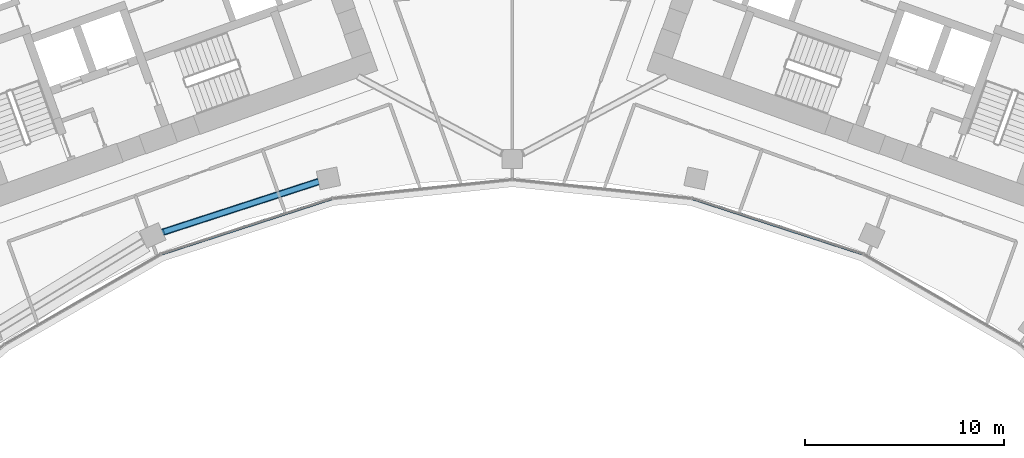
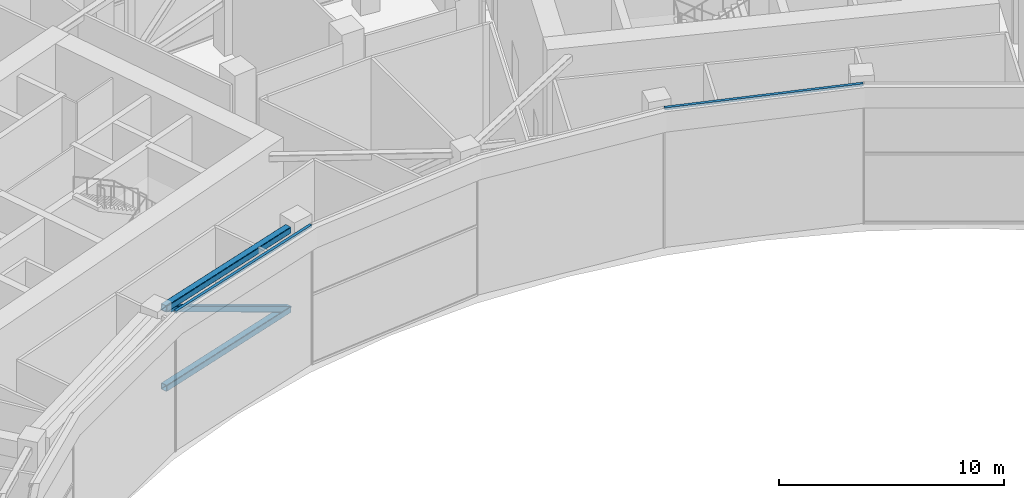
# One storey, part 5 of 26: 5 members, 1 element without a shape of its own.
"""IFC4 building model written with IfcOpenShell, lengths in metres."""

from ifc_helpers import new_model, si_unit, direction, frame, origin, origin_2d, place, context, subcontext, project, spatial, rectangle, hollow_rectangle, extrude, material, layer, layer_set, material_profile, profile_set, type_object, element, aggregate, save


model = new_model("IFC4")

# Units and contexts
model_context = context("Model", 3, precision=1e-05, world=origin(), true_north=direction((0.0, 1.0)))
body_context = subcontext(model_context, "Body", "Model", "MODEL_VIEW")
ifc_project = project(units=[si_unit("LENGTHUNIT", "METRE"), si_unit("AREAUNIT", "SQUARE_METRE"), si_unit("VOLUMEUNIT", "CUBIC_METRE"), si_unit("PLANEANGLEUNIT", "RADIAN"), si_unit("MASSUNIT", "GRAM", prefix="KILO")], contexts=[model_context])

# Site, building, storey
site_placement = place(None, origin())
site = spatial("IfcSite", under=ifc_project, at=site_placement, CompositionType="ELEMENT")
building_placement = place(site_placement, origin())
building = spatial("IfcBuilding", under=site, at=building_placement, Name="Stone Belt Terrace Tower", CompositionType="ELEMENT")
storey_placement = place(building_placement, frame((0.0, 0.0, 250.39990234375)))
storey = spatial("IfcBuildingStorey", under=building, at=storey_placement, Name="L61", CompositionType="ELEMENT", Elevation=250.39990234375)

# Curtain wall, members
ifc_material_1 = material(Name="Aluminium 6063-T6 anodised frame", Category="aluminium")
ifc_layer = layer(ifc_material_1, 0.14990234375)
ifc_layer_set = layer_set([ifc_layer], Name="CW-B unitised concave-face curtain wall")
curtain_wall_type = type_object("IfcCurtainWallType", Name="CW-B unitised concave-face curtain wall", PredefinedType="NOTDEFINED", material=ifc_layer_set)
curtain_wall_placement = place(storey_placement, origin())
curtain_wall = element("IfcCurtainWall", 1, at=curtain_wall_placement, inside=storey, type_object=curtain_wall_type, Name="CW-B concave face L61", PredefinedType="NOTDEFINED")
ifc_material_profile_1 = material_profile(ifc_material_1, rectangle(XDim=0.14990234375, YDim=0.1201171875, at=origin_2d()), Name="Aluminium 6063-T6 150x120")
ifc_profile_set_1 = profile_set([ifc_material_profile_1], Name="Aluminium 6063-T6 anodised frame")
member_type_1 = type_object("IfcMemberType", Name="CW-B transom 120 x 150", PredefinedType="USERDEFINED", material=ifc_profile_set_1)
member_1_placement = place(storey_placement, frame((-17.63134765625, 39.680419921875, 7.5400390625), z_axis=(0.951055963285, 0.309018696359, 0.0), x_axis=(-0.309018696359, 0.951055963285, 0.0)))
member_1 = element("IfcMember", 2, at=member_1_placement, type_object=member_type_1, Name="CW-B transom 3.1", ObjectType="TRANSOM", PredefinedType="USERDEFINED", context=body_context, shape_type="SweptSolid", body=[
    extrude(rectangle(XDim=0.14990234375, YDim=0.1201171875, at=origin_2d()), origin(), (0.0, 0.0, 1.0), 9.012939453125),
])
member_2_placement = place(storey_placement, frame((9.0595703125, 42.465576171875, 7.5400390625), z_axis=(0.951055963285, -0.309018696359, 0.0), x_axis=(0.309018696359, 0.951055963285, 0.0)))
member_2 = element("IfcMember", 3, at=member_2_placement, type_object=member_type_1, Name="CW-B transom 6.1", ObjectType="TRANSOM", PredefinedType="USERDEFINED", context=body_context, shape_type="SweptSolid", body=[
    extrude(rectangle(XDim=0.14990234375, YDim=0.1201171875, at=origin_2d()), origin(), (0.0, 0.0, 1.0), 9.012939453125),
])
aggregate(curtain_wall, [member_1, member_2])

# Members
ifc_material_2 = material(Name="Structural steel C345", Category="steel")
ifc_material_profile_2 = material_profile(ifc_material_2, hollow_rectangle(XDim=0.35009765625, YDim=0.35009765625, WallThickness=0.01611328125, InnerFilletRadius=0.031982421875, OuterFilletRadius=0.048095703125, at=origin_2d()), Name="SHS 350x350x16")
ifc_profile_set_2 = profile_set([ifc_material_profile_2], Name="Structural steel C345")
member_type_2 = type_object("IfcMemberType", Name="Outrigger chord SHS 350x350x16", PredefinedType="CHORD", material=ifc_profile_set_2)
for number, where, z_axis, x_axis, name in (
    (4, (-17.575439453125, 40.765625, 7.0751953125), (0.951059988992, 0.309006306307, 0.0), (-0.309006306307, 0.951059988992, 0.0), "Outrigger T4 Pw top chord 3"),
    (5, (-17.575439453125, 40.765625, 2.775146484375), (0.951059988992, 0.309006306307, 0.0), (-0.309006306307, 0.951059988992, 0.0), "Outrigger T4 Pw bot chord 3"),
):
    element("IfcMember", number, at=place(storey_placement, frame(where, z_axis=z_axis, x_axis=x_axis)), inside=storey, type_object=member_type_2, Name=name, PredefinedType="CHORD", context=body_context, shape_type="SweptSolid", body=[
        extrude(hollow_rectangle(XDim=0.35009765625, YDim=0.35009765625, WallThickness=0.01611328125, InnerFilletRadius=0.031982421875, OuterFilletRadius=0.048095703125, at=origin_2d()), origin(), (0.0, 0.0, 1.0), 8.23583984375),
    ])
ifc_material_profile_3 = material_profile(ifc_material_2, hollow_rectangle(XDim=0.300048828125, YDim=0.300048828125, WallThickness=0.011962890625, InnerFilletRadius=0.02392578125, OuterFilletRadius=0.035888671875, at=origin_2d()), Name="SHS 300x300x12")
ifc_profile_set_3 = profile_set([ifc_material_profile_3], Name="Structural steel C345")
member_type_3 = type_object("IfcMemberType", Name="Outrigger diagonal SHS 300x300x12", PredefinedType="BRACE", material=ifc_profile_set_3)
member_3_placement = place(storey_placement, frame((-17.575439453125, 40.765625, 7.0751953125), z_axis=(0.843065338845, 0.273918059163, -0.462827971607), x_axis=(-0.309006306307, 0.951059988992, 0.0)))
element("IfcMember", 6, at=member_3_placement, inside=storey, type_object=member_type_3, Name="Outrigger T4 Pw diagonal 3", PredefinedType="BRACE", context=body_context, shape_type="SweptSolid", body=[
    extrude(hollow_rectangle(XDim=0.300048828125, YDim=0.300048828125, WallThickness=0.011962890625, InnerFilletRadius=0.02392578125, OuterFilletRadius=0.035888671875, at=origin_2d()), origin(), (0.0, 0.0, 1.0), 9.290771484375),
])

save(model, "model.ifc")
